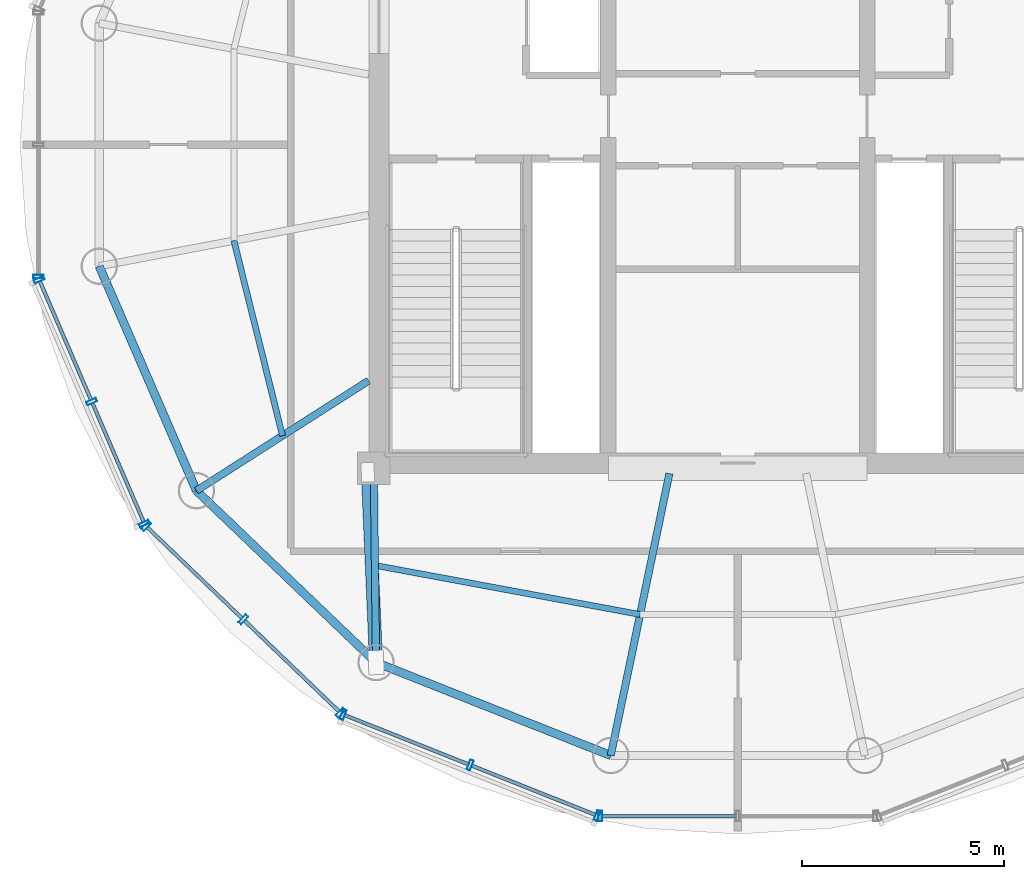
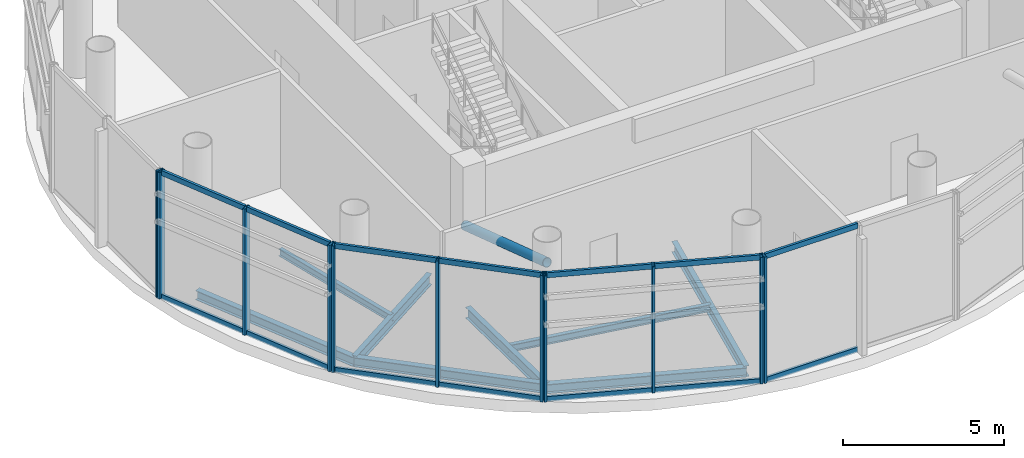
# One storey, part 2 of 15: 26 members, 8 beams, 5 elements without a shape of their own.
"""IFC4 building model written with IfcOpenShell, lengths in metres."""

from ifc_helpers import new_model, si_unit, direction, frame, origin, origin_2d, place, context, subcontext, project, spatial, hollow_rectangle, hollow_circle, i_section, extrude, source, transform, mapped, material, material_profile, profile_set, type_object, element, aggregate, save


model = new_model("IFC4")

# Units and contexts
model_context = context("Model", 3, precision=1e-05, world=origin(), true_north=direction((-0.2419218956, 0.970295726276)))
body_context = subcontext(model_context, "Body", "Model", "MODEL_VIEW")
ifc_project = project(units=[si_unit("LENGTHUNIT", "METRE"), si_unit("AREAUNIT", "SQUARE_METRE"), si_unit("VOLUMEUNIT", "CUBIC_METRE"), si_unit("PLANEANGLEUNIT", "RADIAN"), si_unit("MASSUNIT", "GRAM", prefix="KILO")], contexts=[model_context])

# Site, building, storey
site_placement = place(None, origin())
site = spatial("IfcSite", under=ifc_project, at=site_placement, CompositionType="ELEMENT")
building_placement = place(site_placement, origin())
building = spatial("IfcBuilding", under=site, at=building_placement, Name="Cobrevalo Terracotta Tower", CompositionType="ELEMENT")
storey_placement = place(building_placement, frame((0.0, 0.0, 311.300048828125)))
storey = spatial("IfcBuildingStorey", under=building, at=storey_placement, Name="L81", CompositionType="ELEMENT", Elevation=311.300048828125)

# Beams
ifc_material_1 = material(Name="Steel S355", Category="steel")
ifc_material_profile_1 = material_profile(ifc_material_1, i_section(OverallWidth=0.179931640625, OverallDepth=0.4130859375, WebThickness=0.009765625, FlangeThickness=0.01611328125, at=origin_2d()), Name="W 410x75")
ifc_profile_set_1 = profile_set([ifc_material_profile_1], Name="Steel S355")
beam_type_1 = type_object("IfcBeamType", Name="Structural Beam W 410x75 (Steel S355)", PredefinedType="BEAM", material=ifc_profile_set_1)
beam_1_placement = place(storey_placement, frame((24.61328125, 18.244140625, -0.62646484375), z_axis=(0.84260123768, 0.538537978476, 0.0), x_axis=(-0.538537978476, 0.84260123768, 0.0)))
element("IfcBeam", 1, at=beam_1_placement, inside=storey, type_object=beam_type_1, Name="L81 radial floor girder 10", PredefinedType="BEAM", context=body_context, shape_type="SweptSolid", body=[
    extrude(i_section(OverallWidth=0.179931640625, OverallDepth=0.4130859375, WebThickness=0.009765625, FlangeThickness=0.01611328125, at=origin_2d()), origin(), (0.0, 0.0, 1.0), 5.052001953125),
])
beam_2_placement = place(storey_placement, frame((29.055419921875, 13.995361328125, -0.62646484375), z_axis=(-0.01153378561, 0.999933483683, 0.0), x_axis=(-0.999933483683, -0.01153378561, 0.0)))
element("IfcBeam", 2, at=beam_2_placement, inside=storey, type_object=beam_type_1, Name="L81 radial floor girder 11", PredefinedType="BEAM", context=body_context, shape_type="SweptSolid", body=[
    extrude(i_section(OverallWidth=0.179931640625, OverallDepth=0.4130859375, WebThickness=0.009765625, FlangeThickness=0.01611328125, at=origin_2d()), origin(), (0.0, 0.0, 1.0), 4.804931640625),
])
beam_3_placement = place(storey_placement, frame((34.859130859375, 11.69580078125, -0.62646484375), z_axis=(0.203584701476, 0.979057337098, 0.0), x_axis=(-0.979057337098, 0.203584701476, 0.0)))
element("IfcBeam", 3, at=beam_3_placement, inside=storey, type_object=beam_type_1, Name="L81 radial floor girder 12", PredefinedType="BEAM", context=body_context, shape_type="SweptSolid", body=[
    extrude(i_section(OverallWidth=0.179931640625, OverallDepth=0.4130859375, WebThickness=0.009765625, FlangeThickness=0.01611328125, at=origin_2d()), origin(), (0.0, 0.0, 1.0), 7.123291015625),
])
ifc_material_profile_2 = material_profile(ifc_material_1, i_section(OverallWidth=0.14794921875, OverallDepth=0.26611328125, WebThickness=0.007568359375, FlangeThickness=0.012939453125, at=origin_2d()), Name="W 250x44.8")
ifc_profile_set_2 = profile_set([ifc_material_profile_2], Name="Steel S355")
beam_type_2 = type_object("IfcBeamType", Name="Structural Joist W 250x44.8 (Steel S355)", PredefinedType="JOIST", material=ifc_profile_set_2)
beam_4_placement = place(storey_placement, frame((25.539794921875, 24.42919921875, -0.552978515625), z_axis=(0.241726809757, -0.97034434581, 0.0), x_axis=(0.97034434581, 0.241726809757, 0.0)))
element("IfcBeam", 4, at=beam_4_placement, inside=storey, type_object=beam_type_2, Name="L81 circumferential secondary floor joist 09", PredefinedType="JOIST", context=body_context, shape_type="SweptSolid", body=[
    extrude(i_section(OverallWidth=0.14794921875, OverallDepth=0.26611328125, WebThickness=0.007568359375, FlangeThickness=0.012939453125, at=origin_2d()), origin(), (0.0, 0.0, 1.0), 4.97216796875),
])
beam_5_placement = place(storey_placement, frame((29.027587890625, 16.397705078125, -0.552978515625), z_axis=(0.983264519698, -0.182183655422, 0.0), x_axis=(0.182183655422, 0.983264519698, 0.0)))
element("IfcBeam", 5, at=beam_5_placement, inside=storey, type_object=beam_type_2, Name="L81 circumferential secondary floor joist 11", PredefinedType="JOIST", context=body_context, shape_type="SweptSolid", body=[
    extrude(i_section(OverallWidth=0.14794921875, OverallDepth=0.26611328125, WebThickness=0.007568359375, FlangeThickness=0.012939453125, at=origin_2d()), origin(), (0.0, 0.0, 1.0), 6.668212890625),
])
ifc_material_profile_3 = material_profile(ifc_material_1, i_section(OverallWidth=0.205078125, OverallDepth=0.35400390625, WebThickness=0.009521484375, FlangeThickness=0.016845703125, at=origin_2d()), Name="W 360x79")
ifc_profile_set_3 = profile_set([ifc_material_profile_3], Name="Steel S355")
beam_type_3 = type_object("IfcBeamType", Name="Structural Spandrel W 360x79 (Steel S355)", PredefinedType="SPANDREL", material=ifc_profile_set_3)
beam_6_placement = place(storey_placement, frame((22.20947265625, 23.795654296875, -0.59716796875), z_axis=(0.397350333227, -0.91766699444, 0.0), x_axis=(0.91766699444, 0.397350333227, 0.0)))
element("IfcBeam", 6, at=beam_6_placement, inside=storey, type_object=beam_type_3, Name="L81 perimeter ring spandrel 09", PredefinedType="SPANDREL", context=body_context, shape_type="SweptSolid", body=[
    extrude(i_section(OverallWidth=0.205078125, OverallDepth=0.35400390625, WebThickness=0.009521484375, FlangeThickness=0.016845703125, at=origin_2d()), origin(), (0.0, 0.0, 1.0), 6.049560546875),
])
beam_7_placement = place(storey_placement, frame((24.61328125, 18.244140625, -0.59716796875), z_axis=(0.722659970904, -0.691203708362, 0.0), x_axis=(0.691203708362, 0.722659970904, 0.0)))
element("IfcBeam", 7, at=beam_7_placement, inside=storey, type_object=beam_type_3, Name="L81 perimeter ring spandrel 10", PredefinedType="SPANDREL", context=body_context, shape_type="SweptSolid", body=[
    extrude(i_section(OverallWidth=0.205078125, OverallDepth=0.35400390625, WebThickness=0.009521484375, FlangeThickness=0.016845703125, at=origin_2d()), origin(), (0.0, 0.0, 1.0), 6.14697265625),
])
beam_8_placement = place(storey_placement, frame((29.055419921875, 13.995361328125, -0.59716796875), z_axis=(0.929682763959, -0.368361179275, 0.0), x_axis=(0.368361179275, 0.929682763959, 0.0)))
element("IfcBeam", 8, at=beam_8_placement, inside=storey, type_object=beam_type_3, Name="L81 perimeter ring spandrel 11", PredefinedType="SPANDREL", context=body_context, shape_type="SweptSolid", body=[
    extrude(i_section(OverallWidth=0.205078125, OverallDepth=0.35400390625, WebThickness=0.009521484375, FlangeThickness=0.016845703125, at=origin_2d()), origin(), (0.0, 0.0, 1.0), 6.24267578125),
])

# Member
ifc_material_profile_4 = material_profile(ifc_material_1, hollow_circle(Radius=0.162109375, WallThickness=0.013916015625, at=origin_2d()), Name="CHS 324x14")
ifc_profile_set_4 = profile_set([ifc_material_profile_4], Name="Steel S355")
member_type_1 = type_object("IfcMemberType", Name="Steel Brace CHS 324x14 (Steel S355)", PredefinedType="BRACE", material=ifc_profile_set_4)
shared_shape_1 = source(origin(), body_context, "Body", "SweptSolid", [
    extrude(hollow_circle(Radius=0.162109375, WallThickness=0.013916015625, at=origin_2d()), origin(), (0.0, 0.0, 1.0), 4.906982421875),
])
member_1_placement = place(storey_placement, frame((28.85009765625, 18.699951171875, 2.75), z_axis=(0.041842075868, -0.958735793071, 0.281202631159), x_axis=(0.999049003969, 0.043601464055, 0.0)))
element("IfcMember", 9, at=member_1_placement, inside=storey, type_object=member_type_1, Name="L81 CROWN FRAME radial brace 03", PredefinedType="BRACE", context=body_context, shape_type="MappedRepresentation", body=[
    mapped(shared_shape_1, transform((0.0, 0.0, 0.0), scale=1.0)),
])

# Curtain wall, members
ifc_material_2 = material(Name="Anodized aluminium", Category="aluminium")
curtain_wall_type = type_object("IfcCurtainWallType", Name="Faceted glass-point crown structural glazing system CW-CR", PredefinedType="NOTDEFINED", material=ifc_material_2)
curtain_wall_1_placement = place(storey_placement, origin())
curtain_wall_1 = element("IfcCurtainWall", 10, at=curtain_wall_1_placement, inside=storey, type_object=curtain_wall_type, Name="L81 curtain wall CW-CRN-L81-S09", PredefinedType="NOTDEFINED")
ifc_material_profile_5 = material_profile(ifc_material_2, hollow_rectangle(XDim=0.090087890625, YDim=0.195068359375, WallThickness=0.005615234375, at=origin_2d()), Name="CWT 90x195")
ifc_profile_set_5 = profile_set([ifc_material_profile_5], Name="Anodized aluminium")
member_type_2 = type_object("IfcMemberType", Name="Crown structural aluminium transom 90x195", PredefinedType="USERDEFINED", material=ifc_profile_set_5)
shared_shape_2 = source(origin(), body_context, "Body", "SweptSolid", [
    extrude(hollow_rectangle(XDim=0.090087890625, YDim=0.195068359375, WallThickness=0.005615234375, at=origin_2d()), origin(), (0.0, 0.0, 1.0), 3.203125),
])
member_2_placement = place(storey_placement, frame((20.740478515625, 23.423583984375, 0.050048828125), z_axis=(0.396043228921, -0.918231866592, 0.0), x_axis=(0.918231866592, 0.396043228921, 0.0)))
member_2 = element("IfcMember", 11, at=member_2_placement, type_object=member_type_2, Name="CW-CRN-L81-S09 transom B01-T1", ObjectType="TRANSOM", PredefinedType="USERDEFINED", context=body_context, shape_type="MappedRepresentation", body=[
    mapped(shared_shape_2, transform((0.0, 0.0, 0.0), scale=1.0)),
])
member_3_placement = place(storey_placement, frame((20.740478515625, 23.423583984375, 4.72998046875), z_axis=(0.396043228921, -0.918231866592, 0.0), x_axis=(0.918231866592, 0.396043228921, 0.0)))
member_3 = element("IfcMember", 12, at=member_3_placement, type_object=member_type_2, Name="CW-CRN-L81-S09 transom B01-T2", ObjectType="TRANSOM", PredefinedType="USERDEFINED", context=body_context, shape_type="MappedRepresentation", body=[
    mapped(shared_shape_2, transform((0.0, 0.0, 0.0), scale=1.0)),
])
member_4_placement = place(storey_placement, frame((22.040771484375, 20.408935546875, 0.050048828125), z_axis=(0.396107491553, -0.918204146765, 0.0), x_axis=(0.918204146765, 0.396107491553, 0.0)))
member_4 = element("IfcMember", 13, at=member_4_placement, type_object=member_type_2, Name="CW-CRN-L81-S09 transom B02-T1", ObjectType="TRANSOM", PredefinedType="USERDEFINED", context=body_context, shape_type="MappedRepresentation", body=[
    mapped(shared_shape_2, transform((0.0, 0.0, 0.0), scale=1.0)),
])
member_5_placement = place(storey_placement, frame((22.040771484375, 20.408935546875, 4.72998046875), z_axis=(0.396107491553, -0.918204146765, 0.0), x_axis=(0.918204146765, 0.396107491553, 0.0)))
member_5 = element("IfcMember", 14, at=member_5_placement, type_object=member_type_2, Name="CW-CRN-L81-S09 transom B02-T2", ObjectType="TRANSOM", PredefinedType="USERDEFINED", context=body_context, shape_type="MappedRepresentation", body=[
    mapped(shared_shape_2, transform((0.0, 0.0, 0.0), scale=1.0)),
])

curtain_wall_2_placement = place(storey_placement, origin())
curtain_wall_2 = element("IfcCurtainWall", 15, at=curtain_wall_2_placement, inside=storey, type_object=curtain_wall_type, Name="L81 curtain wall CW-CRN-L81-S10", PredefinedType="NOTDEFINED")
shared_shape_3 = source(origin(), body_context, "Body", "SweptSolid", [
    extrude(hollow_rectangle(XDim=0.090087890625, YDim=0.195068359375, WallThickness=0.005615234375, at=origin_2d()), origin(), (0.0, 0.0, 1.0), 3.251953125),
])
member_6_placement = place(storey_placement, frame((23.39892578125, 17.3388671875, 0.050048828125), z_axis=(0.721264285966, -0.692659966932, 0.0), x_axis=(0.692659966932, 0.721264285966, 0.0)))
member_6 = element("IfcMember", 16, at=member_6_placement, type_object=member_type_2, Name="CW-CRN-L81-S10 transom B01-T1", ObjectType="TRANSOM", PredefinedType="USERDEFINED", context=body_context, shape_type="MappedRepresentation", body=[
    mapped(shared_shape_3, transform((0.0, 0.0, 0.0), scale=1.0)),
])
member_7_placement = place(storey_placement, frame((23.39892578125, 17.3388671875, 4.72998046875), z_axis=(0.721264285966, -0.692659966932, 0.0), x_axis=(0.692659966932, 0.721264285966, 0.0)))
member_7 = element("IfcMember", 17, at=member_7_placement, type_object=member_type_2, Name="CW-CRN-L81-S10 transom B01-T2", ObjectType="TRANSOM", PredefinedType="USERDEFINED", context=body_context, shape_type="MappedRepresentation", body=[
    mapped(shared_shape_3, transform((0.0, 0.0, 0.0), scale=1.0)),
])
member_8_placement = place(storey_placement, frame((25.802001953125, 15.031005859375, 0.050048828125), z_axis=(0.721300303297, -0.692622460265, 0.0), x_axis=(0.692622460265, 0.721300303297, 0.0)))
member_8 = element("IfcMember", 18, at=member_8_placement, type_object=member_type_2, Name="CW-CRN-L81-S10 transom B02-T1", ObjectType="TRANSOM", PredefinedType="USERDEFINED", context=body_context, shape_type="MappedRepresentation", body=[
    mapped(shared_shape_3, transform((0.0, 0.0, 0.0), scale=1.0)),
])
member_9_placement = place(storey_placement, frame((25.802001953125, 15.031005859375, 4.72998046875), z_axis=(0.721300303297, -0.692622460265, 0.0), x_axis=(0.692622460265, 0.721300303297, 0.0)))
member_9 = element("IfcMember", 19, at=member_9_placement, type_object=member_type_2, Name="CW-CRN-L81-S10 transom B02-T2", ObjectType="TRANSOM", PredefinedType="USERDEFINED", context=body_context, shape_type="MappedRepresentation", body=[
    mapped(shared_shape_3, transform((0.0, 0.0, 0.0), scale=1.0)),
])

curtain_wall_3_placement = place(storey_placement, origin())
curtain_wall_3 = element("IfcCurtainWall", 20, at=curtain_wall_3_placement, inside=storey, type_object=curtain_wall_type, Name="L81 curtain wall CW-CRN-L81-S11", PredefinedType="NOTDEFINED")
shared_shape_4 = source(origin(), body_context, "Body", "SweptSolid", [
    extrude(hollow_rectangle(XDim=0.090087890625, YDim=0.195068359375, WallThickness=0.005615234375, at=origin_2d()), origin(), (0.0, 0.0, 1.0), 3.2998046875),
])
member_10_placement = place(storey_placement, frame((28.279541015625, 12.693603515625, 0.050048828125), z_axis=(0.929204565262, -0.369565793732, 0.0), x_axis=(0.369565793732, 0.929204565262, 0.0)))
member_10 = element("IfcMember", 21, at=member_10_placement, type_object=member_type_2, Name="CW-CRN-L81-S11 transom B01-T1", ObjectType="TRANSOM", PredefinedType="USERDEFINED", context=body_context, shape_type="MappedRepresentation", body=[
    mapped(shared_shape_4, transform((0.0, 0.0, 0.0), scale=1.0)),
])
member_11_placement = place(storey_placement, frame((28.279541015625, 12.693603515625, 4.72998046875), z_axis=(0.929204565262, -0.369565793732, 0.0), x_axis=(0.369565793732, 0.929204565262, 0.0)))
member_11 = element("IfcMember", 22, at=member_11_placement, type_object=member_type_2, Name="CW-CRN-L81-S11 transom B01-T2", ObjectType="TRANSOM", PredefinedType="USERDEFINED", context=body_context, shape_type="MappedRepresentation", body=[
    mapped(shared_shape_4, transform((0.0, 0.0, 0.0), scale=1.0)),
])
member_12_placement = place(storey_placement, frame((31.420166015625, 11.444580078125, 0.050048828125), z_axis=(0.92917915641, -0.369629673177, 0.0), x_axis=(0.369629673177, 0.92917915641, 0.0)))
member_12 = element("IfcMember", 23, at=member_12_placement, type_object=member_type_2, Name="CW-CRN-L81-S11 transom B02-T1", ObjectType="TRANSOM", PredefinedType="USERDEFINED", context=body_context, shape_type="MappedRepresentation", body=[
    mapped(shared_shape_4, transform((0.0, 0.0, 0.0), scale=1.0)),
])
member_13_placement = place(storey_placement, frame((31.420166015625, 11.444580078125, 4.72998046875), z_axis=(0.92917915641, -0.369629673177, 0.0), x_axis=(0.369629673177, 0.92917915641, 0.0)))
member_13 = element("IfcMember", 24, at=member_13_placement, type_object=member_type_2, Name="CW-CRN-L81-S11 transom B02-T2", ObjectType="TRANSOM", PredefinedType="USERDEFINED", context=body_context, shape_type="MappedRepresentation", body=[
    mapped(shared_shape_4, transform((0.0, 0.0, 0.0), scale=1.0)),
])

curtain_wall_4_placement = place(storey_placement, origin())
curtain_wall_4 = element("IfcCurtainWall", 25, at=curtain_wall_4_placement, inside=storey, type_object=curtain_wall_type, Name="L81 curtain wall CW-CRN-L81-S12", PredefinedType="NOTDEFINED")
shared_shape_5 = source(origin(), body_context, "Body", "SweptSolid", [
    extrude(hollow_rectangle(XDim=0.090087890625, YDim=0.195068359375, WallThickness=0.005615234375, at=origin_2d()), origin(), (0.0, 0.0, 1.0), 3.3193359375),
])
member_14_placement = place(storey_placement, frame((34.640625, 10.1953125, 0.050048828125), z_axis=(1.0, 0.0, 0.0), x_axis=(0.0, 1.0, 0.0)))
member_14 = element("IfcMember", 26, at=member_14_placement, type_object=member_type_2, Name="CW-CRN-L81-S12 transom B01-T1", ObjectType="TRANSOM", PredefinedType="USERDEFINED", context=body_context, shape_type="MappedRepresentation", body=[
    mapped(shared_shape_5, transform((0.0, 0.0, 0.0), scale=1.0)),
])
member_15_placement = place(storey_placement, frame((34.640625, 10.1953125, 4.72998046875), z_axis=(1.0, 0.0, 0.0), x_axis=(0.0, 1.0, 0.0)))
member_15 = element("IfcMember", 27, at=member_15_placement, type_object=member_type_2, Name="CW-CRN-L81-S12 transom B01-T2", ObjectType="TRANSOM", PredefinedType="USERDEFINED", context=body_context, shape_type="MappedRepresentation", body=[
    mapped(shared_shape_5, transform((0.0, 0.0, 0.0), scale=1.0)),
])

# Curtain wall, member
curtain_wall_5_placement = place(storey_placement, origin())
curtain_wall_5 = element("IfcCurtainWall", 28, at=curtain_wall_5_placement, inside=storey, type_object=curtain_wall_type, Name="L81 curtain wall CW-CRN-L81-S08", PredefinedType="NOTDEFINED")
ifc_material_profile_6 = material_profile(ifc_material_2, hollow_rectangle(XDim=0.090087890625, YDim=0.260009765625, WallThickness=0.006103515625, at=origin_2d()), Name="CWM 90x260")
ifc_profile_set_6 = profile_set([ifc_material_profile_6], Name="Anodized aluminium")
member_type_3 = type_object("IfcMemberType", Name="Crown structural glass mullion 90x260", PredefinedType="MULLION", material=ifc_profile_set_6)
shared_shape_6 = source(origin(), body_context, "Body", "SweptSolid", [
    extrude(hollow_rectangle(XDim=0.090087890625, YDim=0.260009765625, WallThickness=0.006103515625, at=origin_2d()), origin(), (0.0, 0.0, 1.0), 4.780029296875),
])
member_16_placement = place(storey_placement, frame((20.708740234375, 23.537109375, 0.0), z_axis=(0.0, 0.0, 1.0), x_axis=(0.0, -1.0, 0.0)))
member_16 = element("IfcMember", 29, at=member_16_placement, type_object=member_type_3, Name="CW-CRN-L81-S08 vertical mullion 03", PredefinedType="MULLION", context=body_context, shape_type="MappedRepresentation", body=[
    mapped(shared_shape_6, transform((0.0, 0.0, 0.0), scale=1.0)),
])
aggregate(curtain_wall_5, [member_16])

# Member
member_17_placement = place(storey_placement, frame((20.724609375, 23.46044921875, 0.0), z_axis=(0.0, 0.0, 1.0), x_axis=(0.396058398073, -0.918225323826, 0.0)))
member_17 = element("IfcMember", 30, at=member_17_placement, type_object=member_type_3, Name="CW-CRN-L81-S09 vertical mullion 01", PredefinedType="MULLION", context=body_context, shape_type="MappedRepresentation", body=[
    mapped(shared_shape_6, transform((0.0, 0.0, 0.0), scale=1.0)),
])

member_18_placement = place(storey_placement, frame((22.02490234375, 20.445556640625, 0.0), z_axis=(0.0, 0.0, 1.0), x_axis=(0.396058398073, -0.918225323826, 0.0)))
member_18 = element("IfcMember", 31, at=member_18_placement, type_object=member_type_3, Name="CW-CRN-L81-S09 vertical mullion 02", PredefinedType="MULLION", context=body_context, shape_type="MappedRepresentation", body=[
    mapped(shared_shape_6, transform((0.0, 0.0, 0.0), scale=1.0)),
])

member_19_placement = place(storey_placement, frame((23.325439453125, 17.430908203125, 0.0), z_axis=(0.0, 0.0, 1.0), x_axis=(0.396058398073, -0.918225323826, 0.0)))
member_19 = element("IfcMember", 32, at=member_19_placement, type_object=member_type_3, Name="CW-CRN-L81-S09 vertical mullion 03", PredefinedType="MULLION", context=body_context, shape_type="MappedRepresentation", body=[
    mapped(shared_shape_6, transform((0.0, 0.0, 0.0), scale=1.0)),
])

aggregate(curtain_wall_1, [member_17, member_18, member_19, member_2, member_3, member_4, member_5])

member_20_placement = place(storey_placement, frame((23.3701171875, 17.366455078125, 0.0), z_axis=(0.0, 0.0, 1.0), x_axis=(0.721276845158, -0.692646888854, 0.0)))
member_20 = element("IfcMember", 33, at=member_20_placement, type_object=member_type_3, Name="CW-CRN-L81-S10 vertical mullion 01", PredefinedType="MULLION", context=body_context, shape_type="MappedRepresentation", body=[
    mapped(shared_shape_6, transform((0.0, 0.0, 0.0), scale=1.0)),
])

member_21_placement = place(storey_placement, frame((25.773193359375, 15.05859375, 0.0), z_axis=(0.0, 0.0, 1.0), x_axis=(0.721276845158, -0.692646888854, 0.0)))
member_21 = element("IfcMember", 34, at=member_21_placement, type_object=member_type_3, Name="CW-CRN-L81-S10 vertical mullion 02", PredefinedType="MULLION", context=body_context, shape_type="MappedRepresentation", body=[
    mapped(shared_shape_6, transform((0.0, 0.0, 0.0), scale=1.0)),
])

member_22_placement = place(storey_placement, frame((28.176513671875, 12.7509765625, 0.0), z_axis=(0.0, 0.0, 1.0), x_axis=(0.721276845158, -0.692646888854, 0.0)))
member_22 = element("IfcMember", 35, at=member_22_placement, type_object=member_type_3, Name="CW-CRN-L81-S10 vertical mullion 03", PredefinedType="MULLION", context=body_context, shape_type="MappedRepresentation", body=[
    mapped(shared_shape_6, transform((0.0, 0.0, 0.0), scale=1.0)),
])

aggregate(curtain_wall_2, [member_20, member_21, member_22, member_6, member_7, member_8, member_9])

member_23_placement = place(storey_placement, frame((28.242431640625, 12.70849609375, 0.0), z_axis=(0.0, 0.0, 1.0), x_axis=(0.929190639756, -0.36960080491, 0.0)))
member_23 = element("IfcMember", 36, at=member_23_placement, type_object=member_type_3, Name="CW-CRN-L81-S11 vertical mullion 01", PredefinedType="MULLION", context=body_context, shape_type="MappedRepresentation", body=[
    mapped(shared_shape_6, transform((0.0, 0.0, 0.0), scale=1.0)),
])

member_24_placement = place(storey_placement, frame((31.3828125, 11.459228515625, 0.0), z_axis=(0.0, 0.0, 1.0), x_axis=(0.929190639756, -0.36960080491, 0.0)))
member_24 = element("IfcMember", 37, at=member_24_placement, type_object=member_type_3, Name="CW-CRN-L81-S11 vertical mullion 02", PredefinedType="MULLION", context=body_context, shape_type="MappedRepresentation", body=[
    mapped(shared_shape_6, transform((0.0, 0.0, 0.0), scale=1.0)),
])

member_25_placement = place(storey_placement, frame((34.5234375, 10.210205078125, 0.0), z_axis=(0.0, 0.0, 1.0), x_axis=(0.929190639756, -0.36960080491, 0.0)))
member_25 = element("IfcMember", 38, at=member_25_placement, type_object=member_type_3, Name="CW-CRN-L81-S11 vertical mullion 03", PredefinedType="MULLION", context=body_context, shape_type="MappedRepresentation", body=[
    mapped(shared_shape_6, transform((0.0, 0.0, 0.0), scale=1.0)),
])

aggregate(curtain_wall_3, [member_23, member_24, member_25, member_10, member_11, member_12, member_13])

member_26_placement = place(storey_placement, frame((34.6005859375, 10.1953125, 0.0), z_axis=(0.0, 0.0, 1.0), x_axis=(1.0, 0.0, 0.0)))
member_26 = element("IfcMember", 39, at=member_26_placement, type_object=member_type_3, Name="CW-CRN-L81-S12 vertical mullion 01", PredefinedType="MULLION", context=body_context, shape_type="MappedRepresentation", body=[
    mapped(shared_shape_6, transform((0.0, 0.0, 0.0), scale=1.0)),
])

aggregate(curtain_wall_4, [member_26, member_14, member_15])

save(model, "model.ifc")
